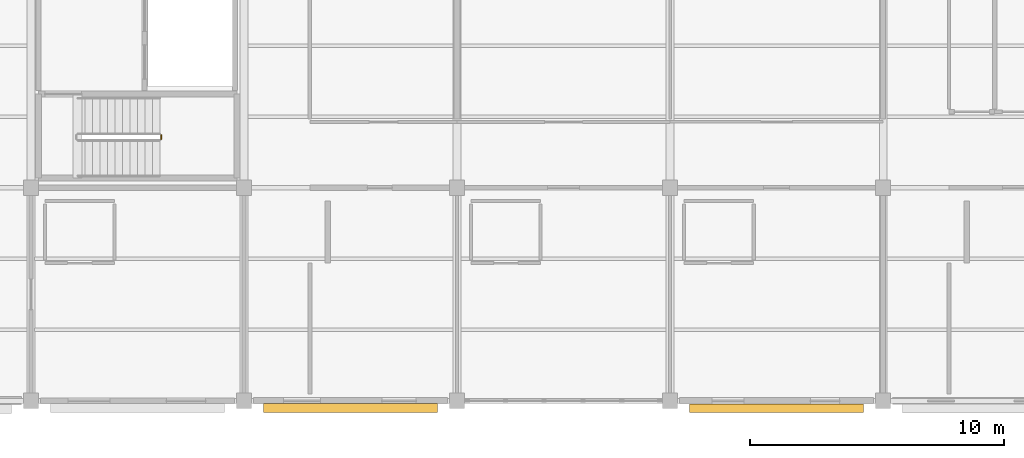
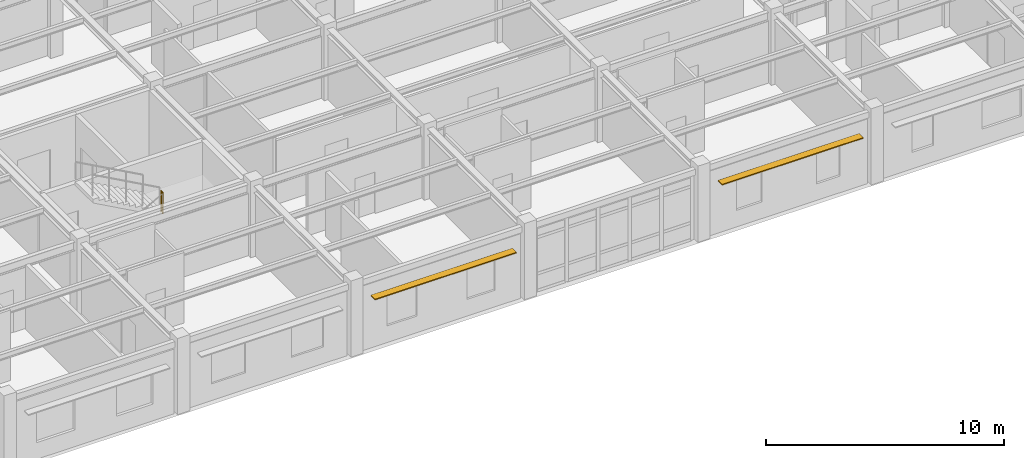
# One storey, part 74 of 86: 2 shading devices, 1 railing.
"""IFC4 building model written with IfcOpenShell, lengths in metres."""

from ifc_helpers import new_model, si_unit, direction, frame, origin, origin_2d, place, context, subcontext, project, spatial, rectangle, circle, extrude, material, material_profile, profile_set, type_object, element, save


model = new_model("IFC4")

# Units and contexts
model_context = context("Model", 3, precision=1e-05, world=origin(), true_north=direction((0.0, 1.0)))
body_context = subcontext(model_context, "Body", "Model", "MODEL_VIEW")
ifc_project = project(units=[si_unit("LENGTHUNIT", "METRE"), si_unit("AREAUNIT", "SQUARE_METRE"), si_unit("VOLUMEUNIT", "CUBIC_METRE"), si_unit("PLANEANGLEUNIT", "RADIAN"), si_unit("MASSUNIT", "GRAM", prefix="KILO")], contexts=[model_context])

# Site, building, storey
site_placement = place(None, origin())
site = spatial("IfcSite", under=ifc_project, at=site_placement, CompositionType="ELEMENT")
building_placement = place(site_placement, origin())
building = spatial("IfcBuilding", under=site, at=building_placement, Name="Bramfleet General Hospital", CompositionType="ELEMENT")
storey_placement = place(building_placement, frame((0.0, 0.0, 18.60009765625)))
storey = spatial("IfcBuildingStorey", under=building, at=storey_placement, Name="L04", CompositionType="ELEMENT", Elevation=18.60009765625)

# Railing
ifc_material_1 = material(Name="Powder-coated steel stair balustrade", Category="steel")
railing_type = type_object("IfcRailingType", Name="RAIL-ST-GUARD", PredefinedType="GUARDRAIL", material=ifc_material_1)
railing_placement = place(storey_placement, frame((105.93505859375, 10.320068359375, 1.949951171875)))
element("IfcRailing", 1, at=railing_placement, inside=storey, type_object=railing_type, Name="L04 ST-C3 stair guard 2", PredefinedType="GUARDRAIL", context=body_context, shape_type="SweptSolid", body=[
    extrude(circle(Radius=0.02392578125, at=origin_2d()), frame((0.0, 0.0, 1.076171875), z_axis=(0.0, 1.0, 0.0), x_axis=(-1.0, 0.0, 0.0)), (0.0, 0.0, 1.0), 0.159912109375),
    extrude(circle(Radius=0.02099609375, at=origin_2d()), origin(), (0.0, 0.0, 1.0), 1.052001953125),
    extrude(circle(Radius=0.02099609375, at=origin_2d()), frame((0.0, 0.159912109375, 0.0)), (0.0, 0.0, 1.0), 1.052001953125),
])

# Shading devices
ifc_material_2 = material(Name="Anodised aluminium EN AW-6063", Category="aluminium")
ifc_material_profile = material_profile(ifc_material_2, rectangle(XDim=0.050048828125, YDim=0.35009765625, at=origin_2d()), Name="ALU LOUVRE 350x50")
ifc_profile_set = profile_set([ifc_material_profile], Name="Anodised aluminium EN AW-6063")
shading_device_type = type_object("IfcShadingDeviceType", Name="SHD-LVR-350", PredefinedType="USERDEFINED", material=ifc_profile_set)
shading_device_1_placement = place(storey_placement, frame((133.625, -0.29248046875, 2.669921875), z_axis=(-1.0, 0.0, 0.0), x_axis=(0.0, 0.0, 1.0)))
element("IfcShadingDevice", 2, at=shading_device_1_placement, inside=storey, type_object=shading_device_type, Name="L04 Solar Shading Louvre 26", ObjectType="Louvre", PredefinedType="USERDEFINED", context=body_context, shape_type="SweptSolid", body=[
    extrude(rectangle(XDim=0.050048828125, YDim=0.35009765625, at=origin_2d()), origin(), (0.0, 0.0, 1.0), 6.85009765625),
])
shading_device_2_placement = place(storey_placement, frame((116.824951171875, -0.284912109375, 2.669921875), z_axis=(-1.0, 0.0, 0.0), x_axis=(0.0, 0.0, 1.0)))
element("IfcShadingDevice", 3, at=shading_device_2_placement, inside=storey, type_object=shading_device_type, Name="L04 Solar Shading Louvre 27", ObjectType="Louvre", PredefinedType="USERDEFINED", context=body_context, shape_type="SweptSolid", body=[
    extrude(rectangle(XDim=0.050048828125, YDim=0.35009765625, at=origin_2d()), origin(), (0.0, 0.0, 1.0), 6.849853515625),
])

save(model, "model.ifc")
